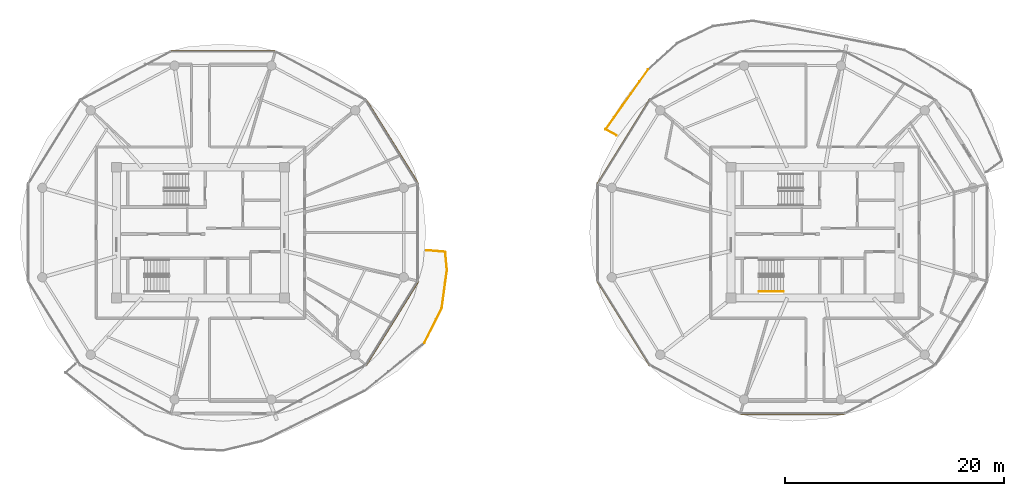
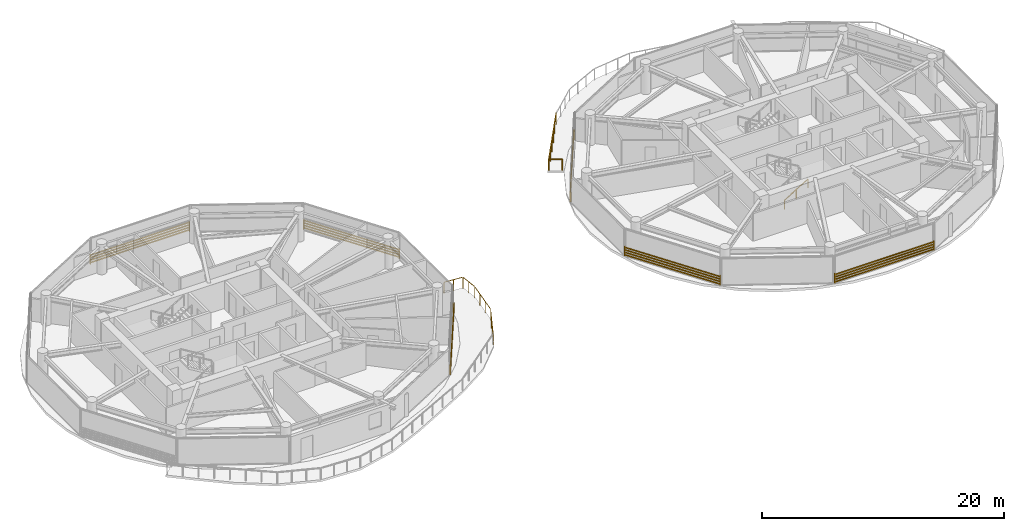
# One storey, part 22 of 24: 6 shading devices, 3 railings.
"""IFC4 building model written with IfcOpenShell, lengths in metres."""

import ifcopenshell
import ifcopenshell.guid

model = None  # the IFC model being written
_history = None  # IfcOwnerHistory: only IFC2X3 demands one
_inside = {}  # id of a spatial element -> (the spatial element, [elements in it])
_under = {}  # id of a project, library or spatial element -> (it, [spatial elements below it])
_declared = {}  # id of a project -> (the project, [libraries it declares])
_typed = {}  # id of a type object -> (the type object, [elements of that type])
_made_of = {}  # id of a material, layer set ... -> (it, [elements and type objects made of it])


def new_model(schema):
    """Start an empty IFC model of exactly this schema.

    Asked for "IFC4X3", IfcOpenShell would pick the latest addendum, in which some entities
    have other attributes; the version numbers below select the first issue.
    IFC2X3 requires an IfcOwnerHistory on every rooted entity: one is made here for all.
    """
    global model, _history
    if schema == "IFC4X3":
        model = ifcopenshell.file(schema_version=(4, 3, 0, 0))
    else:
        model = ifcopenshell.file(schema=schema)
    _inside.clear()
    _under.clear()
    _declared.clear()
    _typed.clear()
    _made_of.clear()
    _history = None
    if model.schema == "IFC2X3":
        org = make("IfcOrganization", Name="unknown")
        user = make(
            "IfcPersonAndOrganization",
            ThePerson=make("IfcPerson", FamilyName="unknown"),
            TheOrganization=org,
        )
        app = make(
            "IfcApplication",
            ApplicationDeveloper=org,
            Version="unknown",
            ApplicationFullName="unknown",
            ApplicationIdentifier="unknown",
        )
        _history = make(
            "IfcOwnerHistory",
            OwningUser=user,
            OwningApplication=app,
            ChangeAction="ADDED",
            CreationDate=0,
        )
    return model


def make(cls, **values):
    """One entity of the class cls with the attributes given. An attribute that is None is left unset."""
    return model.create_entity(
        cls, **{name: value for name, value in values.items() if value is not None}
    )


def rooted(cls, **values):
    """An entity with a GlobalId (a new one), such as an element, a storey or a relation."""
    return make(cls, GlobalId=ifcopenshell.guid.new(), OwnerHistory=_history, **values)


def si_unit(unit_type, name, prefix=None):
    """IfcSIUnit, for example si_unit("LENGTHUNIT", "METRE", prefix="MILLI")."""
    return make("IfcSIUnit", UnitType=unit_type, Prefix=prefix, Name=name)


def assignment(units):
    """IfcUnitAssignment: the units of a project."""
    return None if units is None else make("IfcUnitAssignment", Units=units)


def point(xyz):
    """IfcCartesianPoint."""
    return None if xyz is None else make("IfcCartesianPoint", Coordinates=xyz)


def direction(xyz):
    """IfcDirection."""
    return None if xyz is None else make("IfcDirection", DirectionRatios=xyz)


def frame(location, z_axis=None, x_axis=None):
    """IfcAxis2Placement3D, a coordinate frame: its origin and axes. An axis left out is left unset."""
    return make(
        "IfcAxis2Placement3D",
        Location=point(location),
        Axis=direction(z_axis),
        RefDirection=direction(x_axis),
    )


def frame_2d(location, x_axis=None):
    """IfcAxis2Placement2D, a coordinate frame in the plane: its origin and x axis."""
    return make(
        "IfcAxis2Placement2D", Location=point(location), RefDirection=direction(x_axis)
    )


def origin():
    """The frame at (0, 0, 0) with its axes left unset."""
    return frame((0.0, 0.0, 0.0))


def origin_2d():
    """The frame at (0, 0) in the plane with its x axis left unset."""
    return frame_2d((0.0, 0.0))


def place(relative_to, where):
    """IfcLocalPlacement: puts the frame where relative to a parent placement (None: the world)."""
    return make(
        "IfcLocalPlacement", PlacementRelTo=relative_to, RelativePlacement=where
    )


def context(
    kind, dimensions, precision=None, world=None, true_north=None, identifier=None
):
    """IfcGeometricRepresentationContext, for example the 3D "Model" context."""
    return make(
        "IfcGeometricRepresentationContext",
        ContextIdentifier=identifier,
        ContextType=kind,
        CoordinateSpaceDimension=dimensions,
        Precision=precision,
        WorldCoordinateSystem=world,
        TrueNorth=true_north,
    )


def subcontext(parent, identifier, kind, view, scale=None):
    """IfcGeometricRepresentationSubContext, for example "Body" below "Model"."""
    return make(
        "IfcGeometricRepresentationSubContext",
        ContextIdentifier=identifier,
        ContextType=kind,
        ParentContext=parent,
        TargetScale=scale,
        TargetView=view,
    )


def project(units=None, contexts=None):
    """IfcProject with its units and contexts."""
    return rooted(
        "IfcProject",
        Name="project",
        RepresentationContexts=contexts,
        UnitsInContext=assignment(units),
    )


def spatial(cls, under=None, at=None, **own):
    """A site, building, storey or space (cls), placed at a placement, below another one or the project."""
    s = rooted(cls, ObjectPlacement=at, **own)
    if under is not None:
        _under.setdefault(under.id(), (under, []))[1].append(s)
    return s


def profile(cls, at=None, kind="AREA", **sizes):
    """A parametric profile (cls). Its sizes go by their IFC names, for example OverallWidth=200.0."""
    return make(cls, ProfileType=kind, Position=at, **sizes)


def rectangle(**sizes):
    """IfcRectangleProfileDef."""
    return profile("IfcRectangleProfileDef", **sizes)


def extrude(swept, where, along, depth):
    """IfcExtrudedAreaSolid: the profile swept, set in the frame where, extruded along a direction by depth."""
    return make(
        "IfcExtrudedAreaSolid",
        SweptArea=swept,
        Position=where,
        ExtrudedDirection=direction(along),
        Depth=depth,
    )


def shape(context_of_items, identifier, shape_type, items):
    """IfcShapeRepresentation: the items that make up one representation, for example the "Body"."""
    return make(
        "IfcShapeRepresentation",
        ContextOfItems=context_of_items,
        RepresentationIdentifier=identifier,
        RepresentationType=shape_type,
        Items=items,
    )


def source(mapping_origin, context_of_items, identifier, shape_type, items):
    """IfcRepresentationMap: a shape defined once, which mapped items show again and again."""
    return make(
        "IfcRepresentationMap",
        MappingOrigin=mapping_origin,
        MappedRepresentation=shape(context_of_items, identifier, shape_type, items),
    )


def transform(
    local_origin,
    x_axis=None,
    y_axis=None,
    z_axis=None,
    scale=None,
    scale2=None,
    scale3=None,
    uniform=True,
):
    """IfcCartesianTransformationOperator3D, or its non-uniform kind. x_axis, y_axis, z_axis: its Axis1, 2, 3."""
    if uniform:
        return make(
            "IfcCartesianTransformationOperator3D",
            Axis1=direction(x_axis),
            Axis2=direction(y_axis),
            LocalOrigin=point(local_origin),
            Scale=scale,
            Axis3=direction(z_axis),
        )
    return make(
        "IfcCartesianTransformationOperator3DnonUniform",
        Axis1=direction(x_axis),
        Axis2=direction(y_axis),
        LocalOrigin=point(local_origin),
        Scale=scale,
        Axis3=direction(z_axis),
        Scale2=scale2,
        Scale3=scale3,
    )


def mapped(mapping_source, mapping_target):
    """IfcMappedItem: shows the shape of a source again, moved by a transform."""
    return make(
        "IfcMappedItem", MappingSource=mapping_source, MappingTarget=mapping_target
    )


def material(Name=None, Category=None):
    """IfcMaterial."""
    return make("IfcMaterial", Name=Name, Category=Category)


def made_of(thing, what):
    """Note that an element or type object is made of a material, layer set ...; save() writes the relation."""
    if what is not None:
        _made_of.setdefault(what.id(), (what, []))[1].append(thing)
    return thing


def type_object(cls, material=None, **own):
    """A type object (cls), such as IfcWallType, which elements share."""
    return made_of(rooted(cls, **own), material)


def type_shapes(of_type, sources):
    """Give a type object the sources (RepresentationMaps) that its elements show as mapped items."""
    of_type.RepresentationMaps = sources


def element(
    cls,
    number,
    at=None,
    inside=None,
    cuts=None,
    type_object=None,
    material=None,
    context=None,
    identifier="Body",
    shape_type=None,
    held_by="IfcProductDefinitionShape",
    body=None,
    shapes=None,
    **own,
):
    """One element of the class cls, such as IfcWall. Its Tag is "e" and its number.

    at: its placement. inside: the storey or other place that contains it. cuts: it is an
    opening in that element (IfcRelVoidsElement). A single representation is given by context,
    identifier, shape_type and body (its items); several are given by shapes. held_by: the class
    of the entity that holds the representations. save() writes the other relations.
    """
    e = rooted(cls, Tag="e%d" % number, ObjectPlacement=at, **own)
    if body is not None:
        shapes = [shape(context, identifier, shape_type, body)]
    if shapes is not None:
        e.Representation = make(held_by, Representations=shapes)
    if inside is not None:
        _inside.setdefault(inside.id(), (inside, []))[1].append(e)
    if cuts is not None:
        rooted(
            "IfcRelVoidsElement", RelatingBuildingElement=cuts, RelatedOpeningElement=e
        )
    if type_object is not None:
        _typed.setdefault(type_object.id(), (type_object, []))[1].append(e)
    return made_of(e, material)


def aggregate(whole, parts):
    """IfcRelAggregates: a whole, such as a stair, and the parts it consists of."""
    return rooted("IfcRelAggregates", RelatingObject=whole, RelatedObjects=parts)


def save(model, path):
    """Write the relations noted so far, then the file.

    IfcRelAggregates (storeys below a building ...), IfcRelContainedInSpatialStructure (elements
    in a storey), IfcRelDefinesByType, IfcRelAssociatesMaterial and IfcRelDeclares: one each for
    every whole, place, type object, material and project.
    """
    for whole, parts in _under.values():
        aggregate(whole, parts)
    for where, things in _inside.values():
        rooted(
            "IfcRelContainedInSpatialStructure",
            RelatedElements=things,
            RelatingStructure=where,
        )
    for kind, things in _typed.values():
        rooted("IfcRelDefinesByType", RelatedObjects=things, RelatingType=kind)
    for what, things in _made_of.values():
        rooted("IfcRelAssociatesMaterial", RelatedObjects=things, RelatingMaterial=what)
    for by, libraries in _declared.values():
        rooted("IfcRelDeclares", RelatingContext=by, RelatedDefinitions=libraries)
    model.write(path)


model = new_model("IFC4")

# Units and contexts
model_context = context("Model", 3, precision=1e-05, world=origin(), true_north=direction((0.0, 1.0)))
body_context = subcontext(model_context, "Body", "Model", "MODEL_VIEW")
ifc_project = project(units=[si_unit("LENGTHUNIT", "METRE"), si_unit("AREAUNIT", "SQUARE_METRE"), si_unit("VOLUMEUNIT", "CUBIC_METRE"), si_unit("PLANEANGLEUNIT", "RADIAN"), si_unit("MASSUNIT", "GRAM", prefix="KILO")], contexts=[model_context])

# Site, building, storey
site_placement = place(None, origin())
site = spatial("IfcSite", under=ifc_project, at=site_placement, CompositionType="ELEMENT")
building_placement = place(site_placement, origin())
building = spatial("IfcBuilding", under=site, at=building_placement, Name="Norrkilde Senior Care Towers", CompositionType="ELEMENT")
storey_placement = place(building_placement, frame((0.0, 0.0, 117.60009765625)))
storey = spatial("IfcBuildingStorey", under=building, at=storey_placement, Name="L36", CompositionType="ELEMENT", Elevation=117.60009765625)

# Railings
ifc_material_1 = material(Name="Anodised Aluminium", Category="aluminium")
railing_type_1 = type_object("IfcRailingType", Name="Balcony Swirl Ribbon Guardrail 1150", PredefinedType="GUARDRAIL", material=ifc_material_1)
railing_1_placement = place(storey_placement, frame((9.902587890625, 8.864501953125, 0.0)))
element("IfcRailing", 1, at=railing_1_placement, inside=storey, type_object=railing_type_1, Name="L36 Perimeter Safety Guard 02", PredefinedType="GUARDRAIL", context=body_context, shape_type="SweptSolid", body=[
    extrude(rectangle(XDim=0.048095703125, YDim=0.048095703125, at=origin_2d()), frame((0.0, 0.0, 1.1259765625), z_axis=(-0.877424640359, 0.479714498938, 0.0), x_axis=(-0.479714498938, -0.877424640359, 0.0)), (0.0, 0.0, 1.0), 1.069580078125),
    extrude(rectangle(XDim=0.048095703125, YDim=0.048095703125, at=origin_2d()), frame((-0.95068359375, 0.566162109375, 1.1259765625), z_axis=(0.577410538812, 0.816453960532, 0.0), x_axis=(-0.816453960532, 0.577410538812, 0.0)), (0.0, 0.0, 1.0), 6.625244140625),
    extrude(rectangle(XDim=0.0419921875, YDim=0.0419921875, at=origin_2d()), origin(), (0.0, 0.0, 1.0), 1.099853515625),
    extrude(rectangle(XDim=0.0419921875, YDim=0.0419921875, at=origin_2d()), frame((-0.974365234375, 0.53271484375, 0.0)), (0.0, 0.0, 1.0), 1.099853515625),
    extrude(rectangle(XDim=0.0419921875, YDim=0.0419921875, at=origin_2d()), frame((-0.20458984375, 1.621337890625, 0.0)), (0.0, 0.0, 1.0), 1.099853515625),
    extrude(rectangle(XDim=0.0419921875, YDim=0.0419921875, at=origin_2d()), frame((0.565185546875, 2.709716796875, 0.0)), (0.0, 0.0, 1.0), 1.099853515625),
    extrude(rectangle(XDim=0.0419921875, YDim=0.0419921875, at=origin_2d()), frame((1.335205078125, 3.79833984375, 0.0)), (0.0, 0.0, 1.0), 1.099853515625),
    extrude(rectangle(XDim=0.0419921875, YDim=0.0419921875, at=origin_2d()), frame((2.10498046875, 4.88671875, 0.0)), (0.0, 0.0, 1.0), 1.099853515625),
    extrude(rectangle(XDim=0.0419921875, YDim=0.0419921875, at=origin_2d()), frame((2.874755859375, 5.975341796875, 0.0)), (0.0, 0.0, 1.0), 1.099853515625),
])
railing_2_placement = place(storey_placement, frame((-7.421142578125, -1.615234375, 0.0)))
element("IfcRailing", 2, at=railing_2_placement, inside=storey, type_object=railing_type_1, Name="L36 Perimeter Safety Guard 04", PredefinedType="GUARDRAIL", context=body_context, shape_type="SweptSolid", body=[
    extrude(rectangle(XDim=0.048095703125, YDim=0.048095703125, at=origin_2d()), frame((0.0, 0.0, 1.1259765625), z_axis=(0.996580676345, -0.082625392804, 0.0), x_axis=(0.082625392804, 0.996580676345, 0.0)), (0.0, 0.0, 1.0), 1.690673828125),
    extrude(rectangle(XDim=0.048095703125, YDim=0.048095703125, at=origin_2d()), frame((1.7294921875, -0.183837890625, 1.1259765625), z_axis=(0.093694993511, -0.995600948267, 0.0), x_axis=(0.995600948267, 0.093694993511, 0.0)), (0.0, 0.0, 1.0), 1.583251953125),
    extrude(rectangle(XDim=0.048095703125, YDim=0.048095703125, at=origin_2d()), frame((1.8759765625, -1.84130859375, 1.1259765625), z_axis=(-0.135937110945, -0.990717468236, 0.0), x_axis=(0.990717468236, -0.135937110945, 0.0)), (0.0, 0.0, 1.0), 3.422119140625),
    extrude(rectangle(XDim=0.048095703125, YDim=0.048095703125, at=origin_2d()), frame((1.386962890625, -5.308837890625, 1.1259765625), z_axis=(-0.445358702962, -0.895352235545, 0.0), x_axis=(0.895352235545, -0.445358702962, 0.0)), (0.0, 0.0, 1.0), 3.48828125),
    extrude(rectangle(XDim=0.0419921875, YDim=0.0419921875, at=origin_2d()), origin(), (0.0, 0.0, 1.0), 1.099853515625),
    extrude(rectangle(XDim=0.0419921875, YDim=0.0419921875, at=origin_2d()), frame((0.86279296875, -0.071533203125, 0.0)), (0.0, 0.0, 1.0), 1.099853515625),
    extrude(rectangle(XDim=0.0419921875, YDim=0.0419921875, at=origin_2d()), frame((1.7255859375, -0.14306640625, 0.0)), (0.0, 0.0, 1.0), 1.099853515625),
    extrude(rectangle(XDim=0.0419921875, YDim=0.0419921875, at=origin_2d()), frame((1.8037109375, -0.971923828125, 0.0)), (0.0, 0.0, 1.0), 1.099853515625),
    extrude(rectangle(XDim=0.0419921875, YDim=0.0419921875, at=origin_2d()), frame((1.881591796875, -1.80078125, 0.0)), (0.0, 0.0, 1.0), 1.099853515625),
    extrude(rectangle(XDim=0.0419921875, YDim=0.0419921875, at=origin_2d()), frame((1.722900390625, -2.9580078125, 0.0)), (0.0, 0.0, 1.0), 1.099853515625),
    extrude(rectangle(XDim=0.0419921875, YDim=0.0419921875, at=origin_2d()), frame((1.56396484375, -4.114990234375, 0.0)), (0.0, 0.0, 1.0), 1.099853515625),
    extrude(rectangle(XDim=0.0419921875, YDim=0.0419921875, at=origin_2d()), frame((1.4052734375, -5.272216796875, 0.0)), (0.0, 0.0, 1.0), 1.099853515625),
    extrude(rectangle(XDim=0.0419921875, YDim=0.0419921875, at=origin_2d()), frame((0.88134765625, -6.325439453125, 0.0)), (0.0, 0.0, 1.0), 1.099853515625),
    extrude(rectangle(XDim=0.0419921875, YDim=0.0419921875, at=origin_2d()), frame((0.357421875, -7.37890625, 0.0)), (0.0, 0.0, 1.0), 1.099853515625),
    extrude(rectangle(XDim=0.0419921875, YDim=0.0419921875, at=origin_2d()), frame((-0.16650390625, -8.43212890625, 0.0)), (0.0, 0.0, 1.0), 1.099853515625),
])
ifc_material_2 = material(Name="Nordic Ash Timber", Category="wood")
railing_type_2 = type_object("IfcRailingType", Name="Wall and Stair Handrail 900", PredefinedType="HANDRAIL", material=ifc_material_2)
railing_3_placement = place(storey_placement, frame((22.89990234375, -5.35009765625, 0.16943359375)))
element("IfcRailing", 3, at=railing_3_placement, inside=storey, type_object=railing_type_2, Name="L36 ST-E2 stair handrail 1", PredefinedType="HANDRAIL", context=body_context, shape_type="SweptSolid", body=[
    extrude(rectangle(XDim=0.048095703125, YDim=0.048095703125, at=origin_2d()), frame((0.0, 0.0, 0.8759765625), z_axis=(0.855553338991, 0.0, 0.51771467445), x_axis=(0.0, 1.0, 0.0)), (0.0, 0.0, 1.0), 2.6181640625),
    extrude(rectangle(XDim=0.0419921875, YDim=0.0419921875, at=origin_2d()), origin(), (0.0, 0.0, 1.0), 0.849853515625),
    extrude(rectangle(XDim=0.0419921875, YDim=0.0419921875, at=origin_2d()), frame((1.1201171875, 0.0, 0.677734375)), (0.0, 0.0, 1.0), 0.849853515625),
    extrude(rectangle(XDim=0.0419921875, YDim=0.0419921875, at=origin_2d()), frame((2.239990234375, 0.0, 1.35546875)), (0.0, 0.0, 1.0), 0.849853515625),
])

# Shading devices
ifc_material_3 = material(Name="Architectural Terracotta", Category="masonry")
shading_device_type = type_object("IfcShadingDeviceType", Name="Horizontal Terracotta Baguette Rack", PredefinedType="USERDEFINED", material=ifc_material_3)
shared_shape_1 = source(origin(), body_context, "Body", "SweptSolid", [
    extrude(rectangle(XDim=0.070068359375, YDim=0.110107421875, at=origin_2d()), frame((0.0, 0.090087890625, 0.125), z_axis=(1.0, 0.0, 0.0), x_axis=(0.0, 1.0, 0.0)), (0.0, 0.0, 1.0), 9.01416015625),
    extrude(rectangle(XDim=0.070068359375, YDim=0.110107421875, at=origin_2d()), frame((0.0, 0.090087890625, 0.375), z_axis=(1.0, 0.0, 0.0), x_axis=(0.0, 1.0, 0.0)), (0.0, 0.0, 1.0), 9.01416015625),
    extrude(rectangle(XDim=0.070068359375, YDim=0.110107421875, at=origin_2d()), frame((0.0, 0.090087890625, 0.625), z_axis=(1.0, 0.0, 0.0), x_axis=(0.0, 1.0, 0.0)), (0.0, 0.0, 1.0), 9.01416015625),
    extrude(rectangle(XDim=0.070068359375, YDim=0.110107421875, at=origin_2d()), frame((0.0, 0.090087890625, 0.875), z_axis=(1.0, 0.0, 0.0), x_axis=(0.0, 1.0, 0.0)), (0.0, 0.0, 1.0), 9.01416015625),
    extrude(rectangle(XDim=0.050048828125, YDim=0.1552734375, at=origin_2d()), frame((0.02490234375, 0.047607421875, 0.0)), (0.0, 0.0, 1.0), 1.0),
    extrude(rectangle(XDim=0.050048828125, YDim=0.1552734375, at=origin_2d()), frame((8.9892578125, 0.047607421875, 0.0)), (0.0, 0.0, 1.0), 1.0),
])
for number, where, z_axis, x_axis, name in (
    (4, (-12.953369140625, 12.077392578125, 0.079833984375), (0.0, 0.0, 1.0), (0.527734142246, -0.849412274525, 0.0), "L36 Drum W Terracotta Baguette Screen 00"),
    (5, (-8.1962890625, -4.420654296875, 0.079833984375), (0.0, 0.0, 1.0), (-0.527734142246, -0.849412274525, 0.0), "L36 Drum W Terracotta Baguette Screen 10"),
    (6, (8.1962890625, 4.420654296875, 0.079833984375), (0.0, 0.0, 1.0), (0.527734142246, 0.849412274525, 0.0), "L36 Drum E Terracotta Baguette Screen 04"),
    (7, (12.953369140625, -12.077392578125, 0.079833984375), (0.0, 0.0, 1.0), (-0.527734142246, 0.849412274525, 0.0), "L36 Drum E Terracotta Baguette Screen 06"),
):
    element("IfcShadingDevice", number, at=place(storey_placement, frame(where, z_axis=z_axis, x_axis=x_axis)), inside=storey, type_object=shading_device_type, Name=name, ObjectType="BAGUETTE", PredefinedType="USERDEFINED", context=body_context, shape_type="MappedRepresentation", body=[
        mapped(shared_shape_1, transform((0.0, 0.0, 0.0), x_axis=(1.0, 0.0, 0.0), y_axis=(0.0, 1.0, 0.0), z_axis=(0.0, 0.0, 1.0), scale=1.0)),
    ])
shared_shape_2 = source(origin(), body_context, "Body", "SweptSolid", [
    extrude(rectangle(XDim=0.070068359375, YDim=0.110107421875, at=origin_2d()), frame((0.0, 0.090087890625, 0.125), z_axis=(1.0, 0.0, 0.0), x_axis=(0.0, 1.0, 0.0)), (0.0, 0.0, 1.0), 9.51416015625),
    extrude(rectangle(XDim=0.070068359375, YDim=0.110107421875, at=origin_2d()), frame((0.0, 0.090087890625, 0.375), z_axis=(1.0, 0.0, 0.0), x_axis=(0.0, 1.0, 0.0)), (0.0, 0.0, 1.0), 9.51416015625),
    extrude(rectangle(XDim=0.070068359375, YDim=0.110107421875, at=origin_2d()), frame((0.0, 0.090087890625, 0.625), z_axis=(1.0, 0.0, 0.0), x_axis=(0.0, 1.0, 0.0)), (0.0, 0.0, 1.0), 9.51416015625),
    extrude(rectangle(XDim=0.070068359375, YDim=0.110107421875, at=origin_2d()), frame((0.0, 0.090087890625, 0.875), z_axis=(1.0, 0.0, 0.0), x_axis=(0.0, 1.0, 0.0)), (0.0, 0.0, 1.0), 9.51416015625),
    extrude(rectangle(XDim=0.050048828125, YDim=0.1552734375, at=origin_2d()), frame((0.02490234375, 0.047607421875, 0.0)), (0.0, 0.0, 1.0), 1.0),
    extrude(rectangle(XDim=0.050048828125, YDim=0.1552734375, at=origin_2d()), frame((9.4892578125, 0.047607421875, 0.0)), (0.0, 0.0, 1.0), 1.0),
])
type_shapes(shading_device_type, [shared_shape_1, shared_shape_2])
for number, where, z_axis, x_axis, name in (
    (8, (-30.70703125, 16.498046875, 0.079833984375), (0.0, 0.0, 1.0), (1.0, 0.0, 0.0), "L36 Drum W Terracotta Baguette Screen 02"),
    (9, (30.70703125, -16.498046875, 0.079833984375), (0.0, 0.0, 1.0), (-1.0, 0.0, 0.0), "L36 Drum E Terracotta Baguette Screen 08"),
):
    element("IfcShadingDevice", number, at=place(storey_placement, frame(where, z_axis=z_axis, x_axis=x_axis)), inside=storey, type_object=shading_device_type, Name=name, ObjectType="BAGUETTE", PredefinedType="USERDEFINED", context=body_context, shape_type="MappedRepresentation", body=[
        mapped(shared_shape_2, transform((0.0, 0.0, 0.0), x_axis=(1.0, 0.0, 0.0), y_axis=(0.0, 1.0, 0.0), z_axis=(0.0, 0.0, 1.0), scale=1.0)),
    ])

save(model, "model.ifc")
